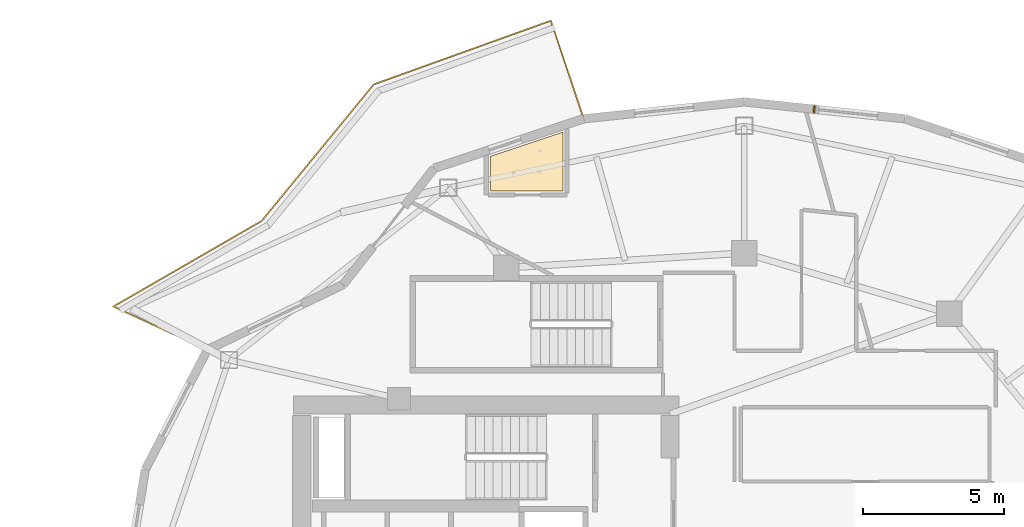
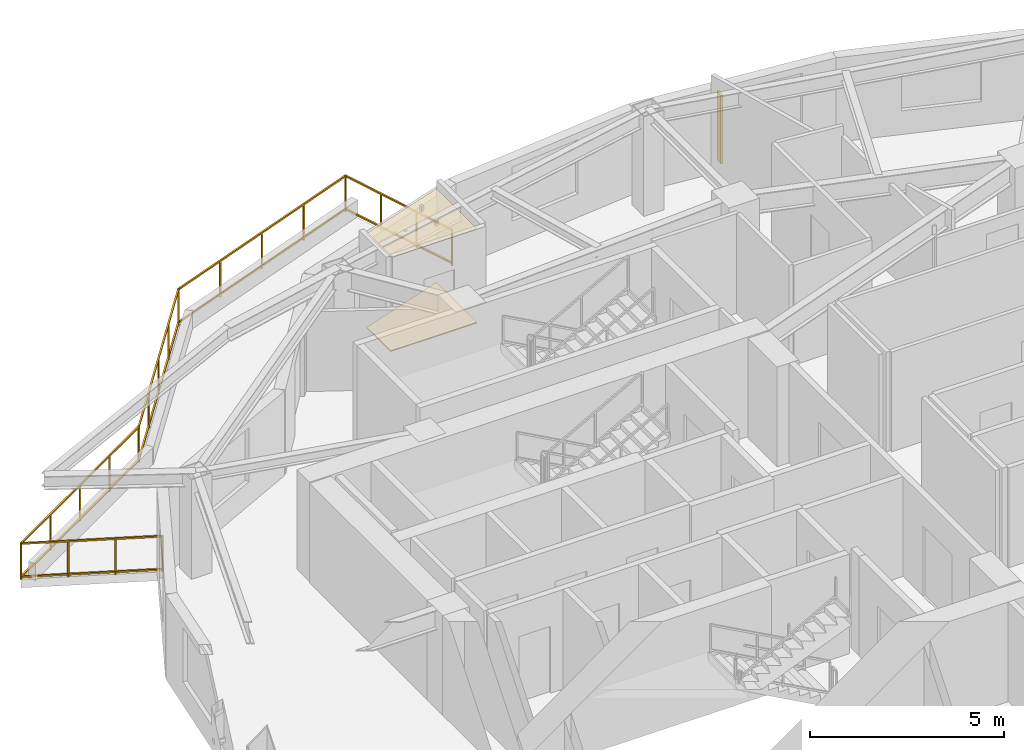
# One storey, part 18 of 18: 2 coverings, 1 railing, 1 shading device.
"""IFC4 building model written with IfcOpenShell, lengths in metres."""

import ifcopenshell
import ifcopenshell.guid

model = None  # the IFC model being written
_history = None  # IfcOwnerHistory: only IFC2X3 demands one
_inside = {}  # id of a spatial element -> (the spatial element, [elements in it])
_under = {}  # id of a project, library or spatial element -> (it, [spatial elements below it])
_declared = {}  # id of a project -> (the project, [libraries it declares])
_typed = {}  # id of a type object -> (the type object, [elements of that type])
_made_of = {}  # id of a material, layer set ... -> (it, [elements and type objects made of it])


def new_model(schema):
    """Start an empty IFC model of exactly this schema.

    Asked for "IFC4X3", IfcOpenShell would pick the latest addendum, in which some entities
    have other attributes; the version numbers below select the first issue.
    IFC2X3 requires an IfcOwnerHistory on every rooted entity: one is made here for all.
    """
    global model, _history
    if schema == "IFC4X3":
        model = ifcopenshell.file(schema_version=(4, 3, 0, 0))
    else:
        model = ifcopenshell.file(schema=schema)
    _inside.clear()
    _under.clear()
    _declared.clear()
    _typed.clear()
    _made_of.clear()
    _history = None
    if model.schema == "IFC2X3":
        org = make("IfcOrganization", Name="unknown")
        user = make(
            "IfcPersonAndOrganization",
            ThePerson=make("IfcPerson", FamilyName="unknown"),
            TheOrganization=org,
        )
        app = make(
            "IfcApplication",
            ApplicationDeveloper=org,
            Version="unknown",
            ApplicationFullName="unknown",
            ApplicationIdentifier="unknown",
        )
        _history = make(
            "IfcOwnerHistory",
            OwningUser=user,
            OwningApplication=app,
            ChangeAction="ADDED",
            CreationDate=0,
        )
    return model


def make(cls, **values):
    """One entity of the class cls with the attributes given. An attribute that is None is left unset."""
    return model.create_entity(
        cls, **{name: value for name, value in values.items() if value is not None}
    )


def rooted(cls, **values):
    """An entity with a GlobalId (a new one), such as an element, a storey or a relation."""
    return make(cls, GlobalId=ifcopenshell.guid.new(), OwnerHistory=_history, **values)


def si_unit(unit_type, name, prefix=None):
    """IfcSIUnit, for example si_unit("LENGTHUNIT", "METRE", prefix="MILLI")."""
    return make("IfcSIUnit", UnitType=unit_type, Prefix=prefix, Name=name)


def assignment(units):
    """IfcUnitAssignment: the units of a project."""
    return None if units is None else make("IfcUnitAssignment", Units=units)


def point(xyz):
    """IfcCartesianPoint."""
    return None if xyz is None else make("IfcCartesianPoint", Coordinates=xyz)


def direction(xyz):
    """IfcDirection."""
    return None if xyz is None else make("IfcDirection", DirectionRatios=xyz)


def frame(location, z_axis=None, x_axis=None):
    """IfcAxis2Placement3D, a coordinate frame: its origin and axes. An axis left out is left unset."""
    return make(
        "IfcAxis2Placement3D",
        Location=point(location),
        Axis=direction(z_axis),
        RefDirection=direction(x_axis),
    )


def frame_2d(location, x_axis=None):
    """IfcAxis2Placement2D, a coordinate frame in the plane: its origin and x axis."""
    return make(
        "IfcAxis2Placement2D", Location=point(location), RefDirection=direction(x_axis)
    )


def origin():
    """The frame at (0, 0, 0) with its axes left unset."""
    return frame((0.0, 0.0, 0.0))


def origin_2d():
    """The frame at (0, 0) in the plane with its x axis left unset."""
    return frame_2d((0.0, 0.0))


def place(relative_to, where):
    """IfcLocalPlacement: puts the frame where relative to a parent placement (None: the world)."""
    return make(
        "IfcLocalPlacement", PlacementRelTo=relative_to, RelativePlacement=where
    )


def context(
    kind, dimensions, precision=None, world=None, true_north=None, identifier=None
):
    """IfcGeometricRepresentationContext, for example the 3D "Model" context."""
    return make(
        "IfcGeometricRepresentationContext",
        ContextIdentifier=identifier,
        ContextType=kind,
        CoordinateSpaceDimension=dimensions,
        Precision=precision,
        WorldCoordinateSystem=world,
        TrueNorth=true_north,
    )


def subcontext(parent, identifier, kind, view, scale=None):
    """IfcGeometricRepresentationSubContext, for example "Body" below "Model"."""
    return make(
        "IfcGeometricRepresentationSubContext",
        ContextIdentifier=identifier,
        ContextType=kind,
        ParentContext=parent,
        TargetScale=scale,
        TargetView=view,
    )


def project(units=None, contexts=None):
    """IfcProject with its units and contexts."""
    return rooted(
        "IfcProject",
        Name="project",
        RepresentationContexts=contexts,
        UnitsInContext=assignment(units),
    )


def spatial(cls, under=None, at=None, **own):
    """A site, building, storey or space (cls), placed at a placement, below another one or the project."""
    s = rooted(cls, ObjectPlacement=at, **own)
    if under is not None:
        _under.setdefault(under.id(), (under, []))[1].append(s)
    return s


def polyline(points):
    """IfcPolyline through the points."""
    return make("IfcPolyline", Points=[point(p) for p in points])


def profile(cls, at=None, kind="AREA", **sizes):
    """A parametric profile (cls). Its sizes go by their IFC names, for example OverallWidth=200.0."""
    return make(cls, ProfileType=kind, Position=at, **sizes)


def rectangle(**sizes):
    """IfcRectangleProfileDef."""
    return profile("IfcRectangleProfileDef", **sizes)


def outline(outer, holes=None, kind="AREA"):
    """IfcArbitraryClosedProfileDef: a profile drawn as a closed curve; with holes, ...WithVoids."""
    if holes is None:
        return make("IfcArbitraryClosedProfileDef", ProfileType=kind, OuterCurve=outer)
    return make(
        "IfcArbitraryProfileDefWithVoids",
        ProfileType=kind,
        OuterCurve=outer,
        InnerCurves=holes,
    )


def extrude(swept, where, along, depth):
    """IfcExtrudedAreaSolid: the profile swept, set in the frame where, extruded along a direction by depth."""
    return make(
        "IfcExtrudedAreaSolid",
        SweptArea=swept,
        Position=where,
        ExtrudedDirection=direction(along),
        Depth=depth,
    )


def shape(context_of_items, identifier, shape_type, items):
    """IfcShapeRepresentation: the items that make up one representation, for example the "Body"."""
    return make(
        "IfcShapeRepresentation",
        ContextOfItems=context_of_items,
        RepresentationIdentifier=identifier,
        RepresentationType=shape_type,
        Items=items,
    )


def material(Name=None, Category=None):
    """IfcMaterial."""
    return make("IfcMaterial", Name=Name, Category=Category)


def layer(
    of_material, thickness, ventilated=None, Name=None, Category=None, Priority=None
):
    """IfcMaterialLayer: one layer of a wall or slab, of a material (None: an air gap)."""
    return make(
        "IfcMaterialLayer",
        Material=of_material,
        LayerThickness=thickness,
        IsVentilated=ventilated,
        Name=Name,
        Category=Category,
        Priority=Priority,
    )


def layer_set(layers, Name=None):
    """IfcMaterialLayerSet."""
    return make("IfcMaterialLayerSet", MaterialLayers=layers, LayerSetName=Name)


def made_of(thing, what):
    """Note that an element or type object is made of a material, layer set ...; save() writes the relation."""
    if what is not None:
        _made_of.setdefault(what.id(), (what, []))[1].append(thing)
    return thing


def type_object(cls, material=None, **own):
    """A type object (cls), such as IfcWallType, which elements share."""
    return made_of(rooted(cls, **own), material)


def element(
    cls,
    number,
    at=None,
    inside=None,
    cuts=None,
    type_object=None,
    material=None,
    context=None,
    identifier="Body",
    shape_type=None,
    held_by="IfcProductDefinitionShape",
    body=None,
    shapes=None,
    **own,
):
    """One element of the class cls, such as IfcWall. Its Tag is "e" and its number.

    at: its placement. inside: the storey or other place that contains it. cuts: it is an
    opening in that element (IfcRelVoidsElement). A single representation is given by context,
    identifier, shape_type and body (its items); several are given by shapes. held_by: the class
    of the entity that holds the representations. save() writes the other relations.
    """
    e = rooted(cls, Tag="e%d" % number, ObjectPlacement=at, **own)
    if body is not None:
        shapes = [shape(context, identifier, shape_type, body)]
    if shapes is not None:
        e.Representation = make(held_by, Representations=shapes)
    if inside is not None:
        _inside.setdefault(inside.id(), (inside, []))[1].append(e)
    if cuts is not None:
        rooted(
            "IfcRelVoidsElement", RelatingBuildingElement=cuts, RelatedOpeningElement=e
        )
    if type_object is not None:
        _typed.setdefault(type_object.id(), (type_object, []))[1].append(e)
    return made_of(e, material)


def aggregate(whole, parts):
    """IfcRelAggregates: a whole, such as a stair, and the parts it consists of."""
    return rooted("IfcRelAggregates", RelatingObject=whole, RelatedObjects=parts)


def save(model, path):
    """Write the relations noted so far, then the file.

    IfcRelAggregates (storeys below a building ...), IfcRelContainedInSpatialStructure (elements
    in a storey), IfcRelDefinesByType, IfcRelAssociatesMaterial and IfcRelDeclares: one each for
    every whole, place, type object, material and project.
    """
    for whole, parts in _under.values():
        aggregate(whole, parts)
    for where, things in _inside.values():
        rooted(
            "IfcRelContainedInSpatialStructure",
            RelatedElements=things,
            RelatingStructure=where,
        )
    for kind, things in _typed.values():
        rooted("IfcRelDefinesByType", RelatedObjects=things, RelatingType=kind)
    for what, things in _made_of.values():
        rooted("IfcRelAssociatesMaterial", RelatedObjects=things, RelatingMaterial=what)
    for by, libraries in _declared.values():
        rooted("IfcRelDeclares", RelatingContext=by, RelatedDefinitions=libraries)
    model.write(path)


model = new_model("IFC4")

# Units and contexts
model_context = context("Model", 3, precision=1e-05, world=origin(), true_north=direction((0.0, 1.0)))
body_context = subcontext(model_context, "Body", "Model", "MODEL_VIEW")
ifc_project = project(units=[si_unit("LENGTHUNIT", "METRE"), si_unit("AREAUNIT", "SQUARE_METRE"), si_unit("VOLUMEUNIT", "CUBIC_METRE"), si_unit("PLANEANGLEUNIT", "RADIAN"), si_unit("MASSUNIT", "GRAM", prefix="KILO")], contexts=[model_context])

# Site, building, storey
site_placement = place(None, origin())
site = spatial("IfcSite", under=ifc_project, at=site_placement, CompositionType="ELEMENT")
building_placement = place(site_placement, origin())
building = spatial("IfcBuilding", under=site, at=building_placement, Name="Kolvaren Gate Tower and Convention Centre", CompositionType="ELEMENT")
storey_placement = place(building_placement, frame((0.0, 0.0, 176.699951171875)))
storey = spatial("IfcBuildingStorey", under=building, at=storey_placement, Name="L46", CompositionType="ELEMENT", Elevation=176.699951171875)

# Coverings
ifc_material_1 = material(Name="Perforated Mineral-Fibre Acoustic Ceiling Tile 18 mm", Category="gypsum")
ifc_layer_1 = layer(ifc_material_1, 0.01806640625)
ifc_layer_set_1 = layer_set([ifc_layer_1], Name="Perforated Mineral-Fibre Acoustic Ceiling Tile 18 mm")
covering_type_1 = type_object("IfcCoveringType", Name="ARCH-COV-CEIL-18", PredefinedType="CEILING", material=ifc_layer_set_1)
covering_1_placement = place(storey_placement, frame((0.0, 0.0, 2.949951171875)))
element("IfcCovering", 1, at=covering_1_placement, inside=storey, type_object=covering_type_1, Name="En-suite Bathroom (HTL-L46-06) Acoustic Suspended Ceiling", PredefinedType="CEILING", context=body_context, shape_type="SweptSolid", body=[
    extrude(outline(polyline([(23.7099609375, 41.389892578125), (21.139892578125, 41.389892578125), (21.139892578125, 42.6240234375), (23.7099609375, 43.47607421875), (23.7099609375, 41.389892578125)])), origin(), (0.0, 0.0, 1.0), 0.01806640625),
])
ifc_material_2 = material(Name="Honed Sabana Limestone Terrazzo Flooring 30 mm", Category="masonry")
ifc_layer_2 = layer(ifc_material_2, 0.030029296875)
ifc_layer_set_2 = layer_set([ifc_layer_2], Name="Honed Sabana Limestone Terrazzo Flooring 30 mm")
covering_type_2 = type_object("IfcCoveringType", Name="ARCH-COV-FLR-30", PredefinedType="FLOORING", material=ifc_layer_set_2)
covering_2_placement = place(storey_placement, origin())
element("IfcCovering", 2, at=covering_2_placement, inside=storey, type_object=covering_type_2, Name="En-suite Bathroom (HTL-L46-06) Interior Finish Flooring", PredefinedType="FLOORING", context=body_context, shape_type="SweptSolid", body=[
    extrude(outline(polyline([(23.7099609375, 41.389892578125), (21.139892578125, 41.389892578125), (21.139892578125, 42.6240234375), (23.7099609375, 43.47607421875), (23.7099609375, 41.389892578125)])), origin(), (0.0, 0.0, 1.0), 0.030029296875),
])

# Railing
ifc_material_3 = material(Name="Brushed Stainless Steel Grade 316L", Category="steel")
railing_type = type_object("IfcRailingType", Name="ARCH-RL-GUARD-1150", PredefinedType="GUARDRAIL", material=ifc_material_3)
railing_placement = place(storey_placement, frame((24.447265625, 43.951904296875, 0.0)))
element("IfcRailing", 3, at=railing_placement, inside=storey, type_object=railing_type, Name="Tower L46 Terrace Perimeter Guardrail GR-1", PredefinedType="GUARDRAIL", context=body_context, shape_type="SweptSolid", body=[
    extrude(rectangle(XDim=0.048095703125, YDim=0.048095703125, at=origin_2d()), frame((-0.0087890625, 0.026611328125, 1.1259765625), z_axis=(-0.317568160167, 0.94823544737, 0.0), x_axis=(-0.94823544737, -0.317568160167, 0.0)), (0.0, 0.0, 1.0), 3.60400390625),
    extrude(rectangle(XDim=0.048095703125, YDim=0.048095703125, at=origin_2d()), frame((-0.0087890625, 0.026611328125, 0.083984375), z_axis=(-0.317568160167, 0.94823544737, 0.0), x_axis=(-0.94823544737, -0.317568160167, 0.0)), (0.0, 0.0, 1.0), 3.60400390625),
    extrude(rectangle(XDim=0.048095703125, YDim=0.048095703125, at=origin_2d()), frame((-1.188720703125, 3.461181640625, 1.1259765625), z_axis=(-0.940948576924, -0.338549517184, 0.0), x_axis=(0.338549517184, -0.940948576924, 0.0)), (0.0, 0.0, 1.0), 6.60791015625),
    extrude(rectangle(XDim=0.048095703125, YDim=0.048095703125, at=origin_2d()), frame((-1.188720703125, 3.461181640625, 0.083984375), z_axis=(-0.940948576924, -0.338549517184, 0.0), x_axis=(0.338549517184, -0.940948576924, 0.0)), (0.0, 0.0, 1.0), 6.60791015625),
    extrude(rectangle(XDim=0.048095703125, YDim=0.048095703125, at=origin_2d()), frame((-7.45068359375, 1.19287109375, 1.1259765625), z_axis=(-0.634429234628, -0.77298094818, 0.0), x_axis=(0.77298094818, -0.634429234628, 0.0)), (0.0, 0.0, 1.0), 6.188720703125),
    extrude(rectangle(XDim=0.048095703125, YDim=0.048095703125, at=origin_2d()), frame((-7.45068359375, 1.19287109375, 0.083984375), z_axis=(-0.634429234628, -0.77298094818, 0.0), x_axis=(0.77298094818, -0.634429234628, 0.0)), (0.0, 0.0, 1.0), 6.188720703125),
    extrude(rectangle(XDim=0.048095703125, YDim=0.048095703125, at=origin_2d()), frame((-11.4189453125, -3.62646484375, 1.1259765625), z_axis=(-0.866075571306, -0.499913097234, 0.0), x_axis=(0.499913097234, -0.866075571306, 0.0)), (0.0, 0.0, 1.0), 6.004150390625),
    extrude(rectangle(XDim=0.048095703125, YDim=0.048095703125, at=origin_2d()), frame((-11.4189453125, -3.62646484375, 0.083984375), z_axis=(-0.866075571306, -0.499913097234, 0.0), x_axis=(0.499913097234, -0.866075571306, 0.0)), (0.0, 0.0, 1.0), 6.004150390625),
    extrude(rectangle(XDim=0.048095703125, YDim=0.048095703125, at=origin_2d()), frame((-16.617919921875, -6.65380859375, 1.1259765625), z_axis=(0.907820723829, -0.419358478377, 0.0), x_axis=(0.419358478377, 0.907820723829, 0.0)), (0.0, 0.0, 1.0), 3.60400390625),
    extrude(rectangle(XDim=0.048095703125, YDim=0.048095703125, at=origin_2d()), frame((-16.617919921875, -6.65380859375, 0.083984375), z_axis=(0.907820723829, -0.419358478377, 0.0), x_axis=(0.419358478377, 0.907820723829, 0.0)), (0.0, 0.0, 1.0), 3.60400390625),
    extrude(rectangle(XDim=0.0419921875, YDim=0.0419921875, at=origin_2d()), origin(), (0.0, 0.0, 1.0), 1.14990234375),
    extrude(rectangle(XDim=0.0419921875, YDim=0.0419921875, at=origin_2d()), frame((-1.162353515625, 3.470703125, 0.0)), (0.0, 0.0, 1.0), 1.14990234375),
    extrude(rectangle(XDim=0.0419921875, YDim=0.0419921875, at=origin_2d()), frame((-0.387451171875, 1.156982421875, 0.0)), (0.0, 0.0, 1.0), 1.099853515625),
    extrude(rectangle(XDim=0.0419921875, YDim=0.0419921875, at=origin_2d()), frame((-0.77490234375, 2.313720703125, 0.0)), (0.0, 0.0, 1.0), 1.099853515625),
    extrude(rectangle(XDim=0.0419921875, YDim=0.0419921875, at=origin_2d()), frame((-7.432861328125, 1.214599609375, 0.0)), (0.0, 0.0, 1.0), 1.14990234375),
    extrude(rectangle(XDim=0.0419921875, YDim=0.0419921875, at=origin_2d()), frame((-2.72998046875, 2.90673828125, 0.0)), (0.0, 0.0, 1.0), 1.099853515625),
    extrude(rectangle(XDim=0.0419921875, YDim=0.0419921875, at=origin_2d()), frame((-4.297607421875, 2.3427734375, 0.0)), (0.0, 0.0, 1.0), 1.099853515625),
    extrude(rectangle(XDim=0.0419921875, YDim=0.0419921875, at=origin_2d()), frame((-5.865234375, 1.778564453125, 0.0)), (0.0, 0.0, 1.0), 1.099853515625),
    extrude(rectangle(XDim=0.0419921875, YDim=0.0419921875, at=origin_2d()), frame((-11.394775390625, -3.612548828125, 0.0)), (0.0, 0.0, 1.0), 1.14990234375),
    extrude(rectangle(XDim=0.0419921875, YDim=0.0419921875, at=origin_2d()), frame((-8.42333984375, 0.0078125, 0.0)), (0.0, 0.0, 1.0), 1.099853515625),
    extrude(rectangle(XDim=0.0419921875, YDim=0.0419921875, at=origin_2d()), frame((-9.413818359375, -1.198974609375, 0.0)), (0.0, 0.0, 1.0), 1.099853515625),
    extrude(rectangle(XDim=0.0419921875, YDim=0.0419921875, at=origin_2d()), frame((-10.404296875, -2.40576171875, 0.0)), (0.0, 0.0, 1.0), 1.099853515625),
    extrude(rectangle(XDim=0.0419921875, YDim=0.0419921875, at=origin_2d()), frame((-16.643310546875, -6.64208984375, 0.0)), (0.0, 0.0, 1.0), 1.14990234375),
    extrude(rectangle(XDim=0.0419921875, YDim=0.0419921875, at=origin_2d()), frame((-12.70703125, -4.369873046875, 0.0)), (0.0, 0.0, 1.0), 1.099853515625),
    extrude(rectangle(XDim=0.0419921875, YDim=0.0419921875, at=origin_2d()), frame((-14.01904296875, -5.12744140625, 0.0)), (0.0, 0.0, 1.0), 1.099853515625),
    extrude(rectangle(XDim=0.0419921875, YDim=0.0419921875, at=origin_2d()), frame((-15.3310546875, -5.884765625, 0.0)), (0.0, 0.0, 1.0), 1.099853515625),
    extrude(rectangle(XDim=0.0419921875, YDim=0.0419921875, at=origin_2d()), frame((-13.320556640625, -8.177001953125, 0.0)), (0.0, 0.0, 1.0), 1.14990234375),
    extrude(rectangle(XDim=0.0419921875, YDim=0.0419921875, at=origin_2d()), frame((-15.53564453125, -7.15380859375, 0.0)), (0.0, 0.0, 1.0), 1.099853515625),
    extrude(rectangle(XDim=0.0419921875, YDim=0.0419921875, at=origin_2d()), frame((-14.42822265625, -7.665283203125, 0.0)), (0.0, 0.0, 1.0), 1.099853515625),
])

# Shading device
ifc_material_4 = material(Name="Kiln-Fired Bogota Terracotta Ceramic Louvre Profile", Category="masonry")
shading_device_type = type_object("IfcShadingDeviceType", Name="ARCH-SHD-FIN-180", PredefinedType="JALOUSIE", material=ifc_material_4)
shading_device_placement = place(storey_placement, frame((32.601318359375, 44.289306640625, 0.22021484375), z_axis=(0.0, 0.0, 1.0), x_axis=(0.994499249941, -0.104743696069, 0.0)))
element("IfcShadingDevice", 4, at=shading_device_placement, inside=storey, type_object=shading_device_type, Name="Ceramic Vertical Brise-Soleil Fin FN-L46-05", PredefinedType="JALOUSIE", context=body_context, shape_type="SweptSolid", body=[
    extrude(rectangle(XDim=0.06005859375, YDim=0.239990234375, at=origin_2d()), origin(), (0.0, 0.0, 1.0), 2.14990234375),
])

save(model, "model.ifc")
